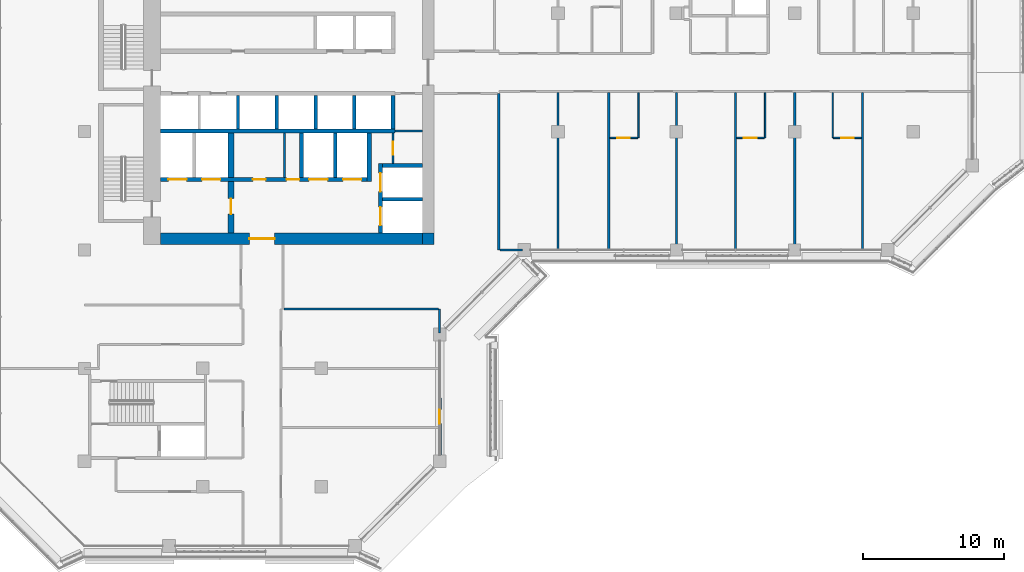
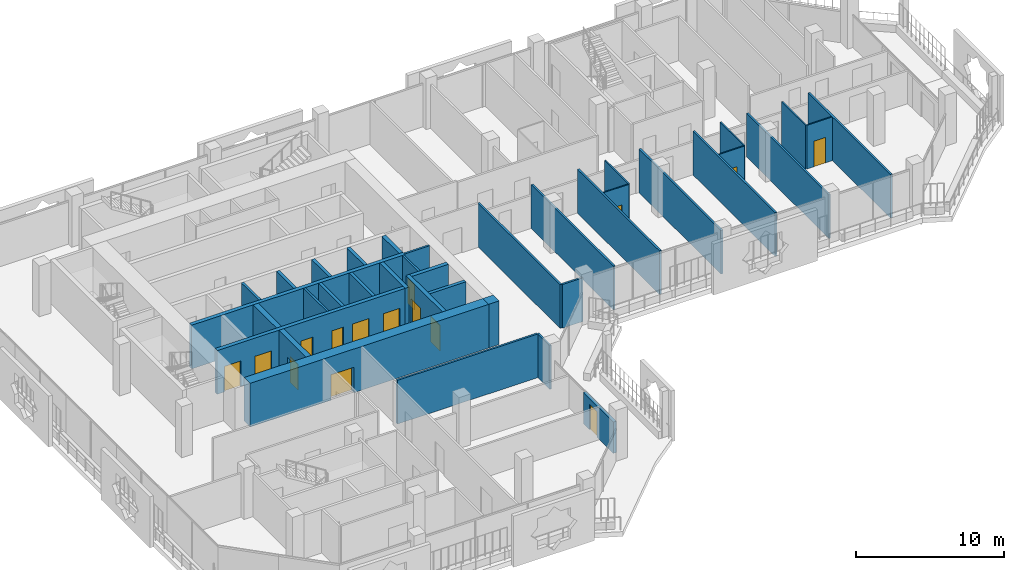
# One storey, part 10 of 21: 37 walls, 15 doors, 15 openings.
"""IFC4 building model written with IfcOpenShell, lengths in metres."""

from ifc_helpers import new_model, si_unit, direction, frame, frame_2d, origin, place, context, subcontext, project, spatial, rectangle, extrude, material, layer, layer_set, type_object, element, fill, save


model = new_model("IFC4")

# Units and contexts
model_context = context("Model", 3, precision=1e-05, world=origin(), true_north=direction((0.0, 1.0)))
body_context = subcontext(model_context, "Body", "Model", "MODEL_VIEW")
ifc_project = project(units=[si_unit("LENGTHUNIT", "METRE"), si_unit("AREAUNIT", "SQUARE_METRE"), si_unit("VOLUMEUNIT", "CUBIC_METRE"), si_unit("PLANEANGLEUNIT", "RADIAN"), si_unit("MASSUNIT", "GRAM", prefix="KILO")], contexts=[model_context])

# Site, building, storey
site_placement = place(None, origin())
site = spatial("IfcSite", under=ifc_project, at=site_placement, CompositionType="ELEMENT")
building_placement = place(site_placement, origin())
building = spatial("IfcBuilding", under=site, at=building_placement, Name="Kawkab Arch Medical Tower", CompositionType="ELEMENT")
storey_placement = place(building_placement, frame((0.0, 0.0, 264.199951171875)))
storey = spatial("IfcBuildingStorey", under=building, at=storey_placement, Name="L61", CompositionType="ELEMENT", Elevation=264.199951171875)

# Wall, opening, door
ifc_material_1 = material(Name="Concrete C50/60", Category="concrete")
ifc_layer_1 = layer(ifc_material_1, 0.800048828125)
ifc_layer_set_1 = layer_set([ifc_layer_1], Name="Concrete C50/60")
wall_type_1 = type_object("IfcWallType", Name="Core ring wall 800 C50/60", PredefinedType="SHEAR", material=ifc_layer_set_1)
wall_1_placement = place(storey_placement, frame((5.39990234375, -24.39990234375, 0.0), z_axis=(0.0, 0.0, 1.0), x_axis=(1.0, 0.0, 0.0)))
wall_1 = element("IfcWall", 1, at=wall_1_placement, inside=storey, type_object=wall_type_1, Name="L61 core wall", PredefinedType="SHEAR", context=body_context, shape_type="SweptSolid", body=[
    extrude(rectangle(XDim=18.60009765625, YDim=0.800048828125, at=frame_2d((9.300048828125, 0.0))), origin(), (0.0, 0.0, 1.0), 3.60009765625),
])
opening_1_placement = place(wall_1_placement, frame((6.300048828125, 0.0, 0.0)))
opening_1 = element("IfcOpeningElement", 2, at=opening_1_placement, cuts=wall_1, Name="Opening PD", PredefinedType="OPENING", context=body_context, shape_type="SweptSolid", body=[
    extrude(rectangle(XDim=1.800048828125, YDim=2.10009765625, at=frame_2d((0.89990234375, 1.050048828125))), frame((0.0, 0.409912109375, 0.0), z_axis=(0.0, -1.0, 0.0), x_axis=(1.0, 0.0, 0.0)), (0.0, 0.0, 1.0), 0.820068359375),
])
ifc_material_2 = material(Name="Hollow metal fire door leaf")
door_type_1 = type_object("IfcDoorType", Name="Core entrance doors 1800", OperationType="DOUBLE_DOOR_SINGLE_SWING", PredefinedType="DOOR", material=ifc_material_2)
door_1_placement = place(opening_1_placement, origin())
door_1 = element("IfcDoor", 3, at=door_1_placement, inside=storey, type_object=door_type_1, Name="L61 South entrance doors", OperationType="DOUBLE_DOOR_SINGLE_SWING", OverallHeight=2.10009765625, OverallWidth=1.800048828125, PredefinedType="DOOR", context=body_context, shape_type="SweptSolid", body=[
    extrude(rectangle(XDim=1.800048828125, YDim=2.10009765625, at=frame_2d((0.89990234375, 1.050048828125))), frame((0.0, 0.02490234375, 0.0), z_axis=(0.0, -1.0, 0.0), x_axis=(1.0, 0.0, 0.0)), (0.0, 0.0, 1.0), 0.050048828125),
])
fill(opening_1, door_1)

# Wall
wall_2_placement = place(storey_placement, frame((24.39990234375, -24.800048828125, 0.0), z_axis=(0.0, 0.0, 1.0), x_axis=(0.0, 1.0, 0.0)))
element("IfcWall", 4, at=wall_2_placement, inside=storey, type_object=wall_type_1, Name="L61 core wall", PredefinedType="SHEAR", context=body_context, shape_type="SweptSolid", body=[
    extrude(rectangle(XDim=0.800048828125, YDim=0.800048828125, at=frame_2d((0.39990234375, 0.0))), origin(), (0.0, 0.0, 1.0), 3.60009765625),
])

# Wall, opening, door
ifc_material_3 = material(Name="Gypsum board on steel studs", Category="steel")
ifc_layer_2 = layer(ifc_material_3, 0.14990234375)
ifc_layer_set_2 = layer_set([ifc_layer_2], Name="Gypsum board on steel studs")
wall_type_2 = type_object("IfcWallType", Name="Core room partition 150", PredefinedType="PARTITIONING", material=ifc_layer_set_2)
wall_3_placement = place(storey_placement, frame((21.89990234375, -19.050048828125, 0.0), z_axis=(0.0, 0.0, 1.0), x_axis=(0.0, 1.0, 0.0)))
wall_3 = element("IfcWall", 5, at=wall_3_placement, inside=storey, type_object=wall_type_2, Name="L61 core room partition", PredefinedType="PARTITIONING", context=body_context, shape_type="SweptSolid", body=[
    extrude(rectangle(XDim=2.150146484375, YDim=0.14990234375, at=frame_2d((1.0751953125, 0.0))), origin(), (0.0, 0.0, 1.0), 3.60009765625),
])
opening_2_placement = place(wall_3_placement, frame((0.625, 0.0, 0.0)))
opening_2 = element("IfcOpeningElement", 6, at=opening_2_placement, cuts=wall_3, Name="Opening RD", PredefinedType="OPENING", context=body_context, shape_type="SweptSolid", body=[
    extrude(rectangle(XDim=0.89990234375, YDim=2.10009765625, at=frame_2d((0.449951171875, 1.050048828125))), frame((0.0, 0.0849609375, 0.0), z_axis=(0.0, -1.0, 0.0), x_axis=(1.0, 0.0, 0.0)), (0.0, 0.0, 1.0), 0.169921875),
])
ifc_material_4 = material(Name="Hollow metal fire door leaf")
door_type_2 = type_object("IfcDoorType", Name="Core room door 900", OperationType="SINGLE_SWING_LEFT", PredefinedType="DOOR", material=ifc_material_4)
door_2_placement = place(opening_2_placement, origin())
door_2 = element("IfcDoor", 7, at=door_2_placement, inside=storey, type_object=door_type_2, Name="L61 Accessible WC door", OperationType="SINGLE_SWING_LEFT", OverallHeight=2.10009765625, OverallWidth=0.89990234375, PredefinedType="DOOR", context=body_context, shape_type="SweptSolid", body=[
    extrude(rectangle(XDim=0.89990234375, YDim=2.10009765625, at=frame_2d((0.449951171875, 1.050048828125))), frame((0.0, 0.02490234375, 0.0), z_axis=(0.0, -1.0, 0.0), x_axis=(1.0, 0.0, 0.0)), (0.0, 0.0, 1.0), 0.050048828125),
])
fill(opening_2, door_2)

# Walls
wall_4_placement = place(storey_placement, frame((22.050048828125, -16.75, 0.0), z_axis=(0.0, 0.0, 1.0), x_axis=(1.0, 0.0, 0.0)))
element("IfcWall", 8, at=wall_4_placement, inside=storey, type_object=wall_type_2, Name="L61 core room partition", PredefinedType="PARTITIONING", context=body_context, shape_type="SweptSolid", body=[
    extrude(rectangle(XDim=1.949951171875, YDim=0.14990234375, at=frame_2d((0.97509765625, 0.0))), origin(), (0.0, 0.0, 1.0), 3.60009765625),
])
wall_5_placement = place(storey_placement, frame((14.199951171875, -20.050048828125, 0.0), z_axis=(0.0, 0.0, 1.0), x_axis=(0.0, 1.0, 0.0)))
element("IfcWall", 9, at=wall_5_placement, inside=storey, type_object=wall_type_2, Name="L61 core room partition", PredefinedType="PARTITIONING", context=body_context, shape_type="SweptSolid", body=[
    extrude(rectangle(XDim=3.150146484375, YDim=0.14990234375, at=frame_2d((1.5751953125, 0.0))), origin(), (0.0, 0.0, 1.0), 3.60009765625),
])
ifc_material_5 = material(Name="Concrete C60/75", Category="concrete")
ifc_layer_3 = layer(ifc_material_5, 0.25)
ifc_layer_set_3 = layer_set([ifc_layer_3], Name="Concrete C60/75")
wall_type_3 = type_object("IfcWallType", Name="Core shear wall 250 C60/75", PredefinedType="SHEAR", material=ifc_layer_set_3)
wall_6_placement = place(storey_placement, frame((21.14990234375, -21.60009765625, 0.0), z_axis=(0.0, 0.0, 1.0), x_axis=(1.0, 0.0, 0.0)))
element("IfcWall", 10, at=wall_6_placement, inside=storey, type_object=wall_type_3, Name="L61 core shear wall", PredefinedType="SHEAR", context=body_context, shape_type="SweptSolid", body=[
    extrude(rectangle(XDim=2.85009765625, YDim=0.25, at=frame_2d((1.425048828125, 0.0))), origin(), (0.0, 0.0, 1.0), 3.60009765625),
])
for number, where, z_axis, x_axis, name in (
    (11, (15.39990234375, -20.050048828125, 0.0), (0.0, 0.0, 1.0), (0.0, 1.0, 0.0), "L61 core shear wall"),
    (12, (17.800048828125, -20.050048828125, 0.0), (0.0, 0.0, 1.0), (0.0, 1.0, 0.0), "L61 core shear wall"),
):
    element("IfcWall", number, at=place(storey_placement, frame(where, z_axis=z_axis, x_axis=x_axis)), inside=storey, type_object=wall_type_3, Name=name, PredefinedType="SHEAR", context=body_context, shape_type="SweptSolid", body=[
        extrude(rectangle(XDim=3.150146484375, YDim=0.25, at=frame_2d((1.5751953125, 0.0))), origin(), (0.0, 0.0, 1.0), 3.60009765625),
    ])
for number, where, z_axis, x_axis, name in (
    (13, (13.64990234375, -16.60009765625, 0.0), (0.0, 0.0, 1.0), (0.0, 1.0, 0.0), "L61 core shear wall"),
    (14, (16.39990234375, -16.60009765625, 0.0), (0.0, 0.0, 1.0), (0.0, 1.0, 0.0), "L61 core shear wall"),
    (15, (19.14990234375, -16.60009765625, 0.0), (0.0, 0.0, 1.0), (0.0, 1.0, 0.0), "L61 core shear wall"),
):
    element("IfcWall", number, at=place(storey_placement, frame(where, z_axis=z_axis, x_axis=x_axis)), inside=storey, type_object=wall_type_3, Name=name, PredefinedType="SHEAR", context=body_context, shape_type="SweptSolid", body=[
        extrude(rectangle(XDim=2.35009765625, YDim=0.25, at=frame_2d((1.175048828125, 0.0))), origin(), (0.0, 0.0, 1.0), 3.60009765625),
    ])
ifc_material_6 = material(Name="Concrete C60/75", Category="concrete")
ifc_layer_4 = layer(ifc_material_6, 0.300048828125)
ifc_layer_set_4 = layer_set([ifc_layer_4], Name="Concrete C60/75")
wall_type_4 = type_object("IfcWallType", Name="Core shear wall 300 C60/75", PredefinedType="SHEAR", material=ifc_layer_set_4)
wall_7_placement = place(storey_placement, frame((5.39990234375, -16.75, 0.0), z_axis=(0.0, 0.0, 1.0), x_axis=(1.0, 0.0, 0.0)))
element("IfcWall", 16, at=wall_7_placement, inside=storey, type_object=wall_type_4, Name="L61 core shear wall", PredefinedType="SHEAR", context=body_context, shape_type="SweptSolid", body=[
    extrude(rectangle(XDim=16.650146484375, YDim=0.300048828125, at=frame_2d((8.3251953125, 0.0))), origin(), (0.0, 0.0, 1.0), 3.60009765625),
])

# Wall, openings, doors
wall_8_placement = place(storey_placement, frame((5.39990234375, -20.199951171875, 0.0), z_axis=(0.0, 0.0, 1.0), x_axis=(1.0, 0.0, 0.0)))
wall_8 = element("IfcWall", 17, at=wall_8_placement, inside=storey, type_object=wall_type_4, Name="L61 core shear wall", PredefinedType="SHEAR", context=body_context, shape_type="SweptSolid", body=[
    extrude(rectangle(XDim=14.650146484375, YDim=0.300048828125, at=frame_2d((7.3251953125, 0.0))), origin(), (0.0, 0.0, 1.0), 3.60009765625),
])
opening_3_placement = place(wall_8_placement, frame((10.550048828125, 0.0, 0.0)))
opening_3 = element("IfcOpeningElement", 18, at=opening_3_placement, cuts=wall_8, Name="Opening LD2", PredefinedType="OPENING", context=body_context, shape_type="SweptSolid", body=[
    extrude(rectangle(XDim=1.300048828125, YDim=2.10009765625, at=frame_2d((0.64990234375, 1.050048828125))), frame((0.0, 0.159912109375, 0.0), z_axis=(0.0, -1.0, 0.0), x_axis=(1.0, 0.0, 0.0)), (0.0, 0.0, 1.0), 0.320068359375),
])
opening_4_placement = place(wall_8_placement, frame((12.949951171875, 0.0, 0.0)))
opening_4 = element("IfcOpeningElement", 19, at=opening_4_placement, cuts=wall_8, Name="Opening LD2", PredefinedType="OPENING", context=body_context, shape_type="SweptSolid", body=[
    extrude(rectangle(XDim=1.300048828125, YDim=2.10009765625, at=frame_2d((0.64990234375, 1.050048828125))), frame((0.0, 0.159912109375, 0.0), z_axis=(0.0, -1.0, 0.0), x_axis=(1.0, 0.0, 0.0)), (0.0, 0.0, 1.0), 0.320068359375),
])
opening_5_placement = place(wall_8_placement, frame((0.550048828125, 0.0, 0.0)))
opening_5 = element("IfcOpeningElement", 20, at=opening_5_placement, cuts=wall_8, Name="Opening LD2", PredefinedType="OPENING", context=body_context, shape_type="SweptSolid", body=[
    extrude(rectangle(XDim=1.300048828125, YDim=2.10009765625, at=frame_2d((0.64990234375, 1.050048828125))), frame((0.0, 0.159912109375, 0.0), z_axis=(0.0, -1.0, 0.0), x_axis=(1.0, 0.0, 0.0)), (0.0, 0.0, 1.0), 0.320068359375),
])
opening_6_placement = place(wall_8_placement, frame((2.949951171875, 0.0, 0.0)))
opening_6 = element("IfcOpeningElement", 21, at=opening_6_placement, cuts=wall_8, Name="Opening LD2", PredefinedType="OPENING", context=body_context, shape_type="SweptSolid", body=[
    extrude(rectangle(XDim=1.300048828125, YDim=2.10009765625, at=frame_2d((0.64990234375, 1.050048828125))), frame((0.0, 0.159912109375, 0.0), z_axis=(0.0, -1.0, 0.0), x_axis=(1.0, 0.0, 0.0)), (0.0, 0.0, 1.0), 0.320068359375),
])
opening_7_placement = place(wall_8_placement, frame((6.550048828125, 0.0, 0.0)))
opening_7 = element("IfcOpeningElement", 22, at=opening_7_placement, cuts=wall_8, Name="Opening RD", PredefinedType="OPENING", context=body_context, shape_type="SweptSolid", body=[
    extrude(rectangle(XDim=0.89990234375, YDim=2.10009765625, at=frame_2d((0.449951171875, 1.050048828125))), frame((0.0, 0.159912109375, 0.0), z_axis=(0.0, -1.0, 0.0), x_axis=(1.0, 0.0, 0.0)), (0.0, 0.0, 1.0), 0.320068359375),
])
opening_8_placement = place(wall_8_placement, frame((8.949951171875, 0.0, 0.0)))
opening_8 = element("IfcOpeningElement", 23, at=opening_8_placement, cuts=wall_8, Name="Opening RD", PredefinedType="OPENING", context=body_context, shape_type="SweptSolid", body=[
    extrude(rectangle(XDim=0.89990234375, YDim=2.10009765625, at=frame_2d((0.449951171875, 1.050048828125))), frame((0.0, 0.159912109375, 0.0), z_axis=(0.0, -1.0, 0.0), x_axis=(1.0, 0.0, 0.0)), (0.0, 0.0, 1.0), 0.320068359375),
])
door_3_placement = place(opening_7_placement, origin())
door_3 = element("IfcDoor", 24, at=door_3_placement, inside=storey, type_object=door_type_2, Name="L61 Ward pantry door", OperationType="SINGLE_SWING_LEFT", OverallHeight=2.10009765625, OverallWidth=0.89990234375, PredefinedType="DOOR", context=body_context, shape_type="SweptSolid", body=[
    extrude(rectangle(XDim=0.89990234375, YDim=2.10009765625, at=frame_2d((0.449951171875, 1.050048828125))), frame((0.0, 0.02490234375, 0.0), z_axis=(0.0, -1.0, 0.0), x_axis=(1.0, 0.0, 0.0)), (0.0, 0.0, 1.0), 0.050048828125),
])
fill(opening_7, door_3)
door_4_placement = place(opening_8_placement, origin())
door_4 = element("IfcDoor", 25, at=door_4_placement, inside=storey, type_object=door_type_2, Name="L61 Linen store door", OperationType="SINGLE_SWING_LEFT", OverallHeight=2.10009765625, OverallWidth=0.89990234375, PredefinedType="DOOR", context=body_context, shape_type="SweptSolid", body=[
    extrude(rectangle(XDim=0.89990234375, YDim=2.10009765625, at=frame_2d((0.449951171875, 1.050048828125))), frame((0.0, 0.02490234375, 0.0), z_axis=(0.0, -1.0, 0.0), x_axis=(1.0, 0.0, 0.0)), (0.0, 0.0, 1.0), 0.050048828125),
])
fill(opening_8, door_4)
ifc_material_7 = material(Name="Stainless steel lift door leaf", Category="steel")
door_type_3 = type_object("IfcDoorType", Name="Lift landing door 1300", OperationType="DOUBLE_DOOR_SLIDING", PredefinedType="DOOR", material=ifc_material_7)
door_5_placement = place(opening_3_placement, origin())
door_5 = element("IfcDoor", 26, at=door_5_placement, inside=storey, type_object=door_type_3, Name="L61 Lift landing door BD3", OperationType="DOUBLE_DOOR_SLIDING", OverallHeight=2.10009765625, OverallWidth=1.300048828125, PredefinedType="DOOR", context=body_context, shape_type="SweptSolid", body=[
    extrude(rectangle(XDim=1.300048828125, YDim=2.10009765625, at=frame_2d((0.64990234375, 1.050048828125))), frame((0.0, 0.02490234375, 0.0), z_axis=(0.0, -1.0, 0.0), x_axis=(1.0, 0.0, 0.0)), (0.0, 0.0, 1.0), 0.050048828125),
])
fill(opening_3, door_5)
door_6_placement = place(opening_4_placement, origin())
door_6 = element("IfcDoor", 27, at=door_6_placement, inside=storey, type_object=door_type_3, Name="L61 Lift landing door BD4", OperationType="DOUBLE_DOOR_SLIDING", OverallHeight=2.10009765625, OverallWidth=1.300048828125, PredefinedType="DOOR", context=body_context, shape_type="SweptSolid", body=[
    extrude(rectangle(XDim=1.300048828125, YDim=2.10009765625, at=frame_2d((0.64990234375, 1.050048828125))), frame((0.0, 0.02490234375, 0.0), z_axis=(0.0, -1.0, 0.0), x_axis=(1.0, 0.0, 0.0)), (0.0, 0.0, 1.0), 0.050048828125),
])
fill(opening_4, door_6)
door_7_placement = place(opening_5_placement, origin())
door_7 = element("IfcDoor", 28, at=door_7_placement, inside=storey, type_object=door_type_3, Name="L61 Lift landing door FL1", OperationType="DOUBLE_DOOR_SLIDING", OverallHeight=2.10009765625, OverallWidth=1.300048828125, PredefinedType="DOOR", context=body_context, shape_type="SweptSolid", body=[
    extrude(rectangle(XDim=1.300048828125, YDim=2.10009765625, at=frame_2d((0.64990234375, 1.050048828125))), frame((0.0, 0.02490234375, 0.0), z_axis=(0.0, -1.0, 0.0), x_axis=(1.0, 0.0, 0.0)), (0.0, 0.0, 1.0), 0.050048828125),
])
fill(opening_5, door_7)
door_8_placement = place(opening_6_placement, origin())
door_8 = element("IfcDoor", 29, at=door_8_placement, inside=storey, type_object=door_type_3, Name="L61 Lift landing door FL2", OperationType="DOUBLE_DOOR_SLIDING", OverallHeight=2.10009765625, OverallWidth=1.300048828125, PredefinedType="DOOR", context=body_context, shape_type="SweptSolid", body=[
    extrude(rectangle(XDim=1.300048828125, YDim=2.10009765625, at=frame_2d((0.64990234375, 1.050048828125))), frame((0.0, 0.02490234375, 0.0), z_axis=(0.0, -1.0, 0.0), x_axis=(1.0, 0.0, 0.0)), (0.0, 0.0, 1.0), 0.050048828125),
])
fill(opening_6, door_8)

# Walls
wall_9_placement = place(storey_placement, frame((20.199951171875, -20.35009765625, 0.0), z_axis=(0.0, 0.0, 1.0), x_axis=(0.0, 1.0, 0.0)))
element("IfcWall", 30, at=wall_9_placement, inside=storey, type_object=wall_type_4, Name="L61 core shear wall", PredefinedType="SHEAR", context=body_context, shape_type="SweptSolid", body=[
    extrude(rectangle(XDim=3.4501953125, YDim=0.300048828125, at=frame_2d((1.72509765625, 0.0))), origin(), (0.0, 0.0, 1.0), 3.60009765625),
])
wall_10_placement = place(storey_placement, frame((21.89990234375, -16.60009765625, 0.0), z_axis=(0.0, 0.0, 1.0), x_axis=(0.0, 1.0, 0.0)))
element("IfcWall", 31, at=wall_10_placement, inside=storey, type_object=wall_type_4, Name="L61 core shear wall", PredefinedType="SHEAR", context=body_context, shape_type="SweptSolid", body=[
    extrude(rectangle(XDim=2.35009765625, YDim=0.300048828125, at=frame_2d((1.175048828125, 0.0))), origin(), (0.0, 0.0, 1.0), 3.60009765625),
])
wall_11_placement = place(storey_placement, frame((21.14990234375, -19.199951171875, 0.0), z_axis=(0.0, 0.0, 1.0), x_axis=(1.0, 0.0, 0.0)))
element("IfcWall", 32, at=wall_11_placement, inside=storey, type_object=wall_type_4, Name="L61 core shear wall", PredefinedType="SHEAR", context=body_context, shape_type="SweptSolid", body=[
    extrude(rectangle(XDim=2.85009765625, YDim=0.300048828125, at=frame_2d((1.425048828125, 0.0))), origin(), (0.0, 0.0, 1.0), 3.60009765625),
])

# Wall, openings, doors
wall_12_placement = place(storey_placement, frame((21.0, -24.0, 0.0), z_axis=(0.0, 0.0, 1.0), x_axis=(0.0, 1.0, 0.0)))
wall_12 = element("IfcWall", 33, at=wall_12_placement, inside=storey, type_object=wall_type_4, Name="L61 core shear wall", PredefinedType="SHEAR", context=body_context, shape_type="SweptSolid", body=[
    extrude(rectangle(XDim=4.949951171875, YDim=0.300048828125, at=frame_2d((2.47509765625, 0.0))), origin(), (0.0, 0.0, 1.0), 3.60009765625),
])
opening_9_placement = place(wall_12_placement, frame((2.949951171875, 0.0, 0.0)))
opening_9 = element("IfcOpeningElement", 34, at=opening_9_placement, cuts=wall_12, Name="Opening LD2", PredefinedType="OPENING", context=body_context, shape_type="SweptSolid", body=[
    extrude(rectangle(XDim=1.300048828125, YDim=2.10009765625, at=frame_2d((0.64990234375, 1.050048828125))), frame((0.0, 0.159912109375, 0.0), z_axis=(0.0, -1.0, 0.0), x_axis=(1.0, 0.0, 0.0)), (0.0, 0.0, 1.0), 0.320068359375),
])
opening_10_placement = place(wall_12_placement, frame((0.550048828125, 0.0, 0.0)))
opening_10 = element("IfcOpeningElement", 35, at=opening_10_placement, cuts=wall_12, Name="Opening LD2", PredefinedType="OPENING", context=body_context, shape_type="SweptSolid", body=[
    extrude(rectangle(XDim=1.300048828125, YDim=2.10009765625, at=frame_2d((0.64990234375, 1.050048828125))), frame((0.0, 0.159912109375, 0.0), z_axis=(0.0, -1.0, 0.0), x_axis=(1.0, 0.0, 0.0)), (0.0, 0.0, 1.0), 0.320068359375),
])
door_9_placement = place(opening_9_placement, origin())
door_9 = element("IfcDoor", 36, at=door_9_placement, inside=storey, type_object=door_type_3, Name="L61 Lift landing door BD1", OperationType="DOUBLE_DOOR_SLIDING", OverallHeight=2.10009765625, OverallWidth=1.300048828125, PredefinedType="DOOR", context=body_context, shape_type="SweptSolid", body=[
    extrude(rectangle(XDim=1.300048828125, YDim=2.10009765625, at=frame_2d((0.64990234375, 1.050048828125))), frame((0.0, 0.02490234375, 0.0), z_axis=(0.0, -1.0, 0.0), x_axis=(1.0, 0.0, 0.0)), (0.0, 0.0, 1.0), 0.050048828125),
])
fill(opening_9, door_9)
door_10_placement = place(opening_10_placement, origin())
door_10 = element("IfcDoor", 37, at=door_10_placement, inside=storey, type_object=door_type_3, Name="L61 Lift landing door BD2", OperationType="DOUBLE_DOOR_SLIDING", OverallHeight=2.10009765625, OverallWidth=1.300048828125, PredefinedType="DOOR", context=body_context, shape_type="SweptSolid", body=[
    extrude(rectangle(XDim=1.300048828125, YDim=2.10009765625, at=frame_2d((0.64990234375, 1.050048828125))), frame((0.0, 0.02490234375, 0.0), z_axis=(0.0, -1.0, 0.0), x_axis=(1.0, 0.0, 0.0)), (0.0, 0.0, 1.0), 0.050048828125),
])
fill(opening_10, door_10)

# Wall, opening, door
ifc_material_8 = material(Name="Concrete C60/75", Category="concrete")
ifc_layer_5 = layer(ifc_material_8, 0.39990234375)
ifc_layer_set_5 = layer_set([ifc_layer_5], Name="Concrete C60/75")
wall_type_5 = type_object("IfcWallType", Name="Core shear wall 400 C60/75", PredefinedType="SHEAR", material=ifc_layer_set_5)
wall_13_placement = place(storey_placement, frame((10.39990234375, -24.0, 0.0), z_axis=(0.0, 0.0, 1.0), x_axis=(0.0, 1.0, 0.0)))
wall_13 = element("IfcWall", 38, at=wall_13_placement, inside=storey, type_object=wall_type_5, Name="L61 core shear wall", PredefinedType="SHEAR", context=body_context, shape_type="SweptSolid", body=[
    extrude(rectangle(XDim=3.64990234375, YDim=0.39990234375, at=frame_2d((1.824951171875, 0.0))), origin(), (0.0, 0.0, 1.0), 3.60009765625),
])
opening_11_placement = place(wall_13_placement, frame((1.35009765625, 0.0, 0.0)))
opening_11 = element("IfcOpeningElement", 39, at=opening_11_placement, cuts=wall_13, Name="Opening FD", PredefinedType="OPENING", context=body_context, shape_type="SweptSolid", body=[
    extrude(rectangle(XDim=1.10009765625, YDim=2.10009765625, at=frame_2d((0.550048828125, 1.050048828125))), frame((0.0, 0.2099609375, 0.0), z_axis=(0.0, -1.0, 0.0), x_axis=(1.0, 0.0, 0.0)), (0.0, 0.0, 1.0), 0.419921875),
])
ifc_material_9 = material(Name="Hollow metal fire door leaf")
door_type_4 = type_object("IfcDoorType", Name="Firefighting lobby door 1100", OperationType="SINGLE_SWING_LEFT", PredefinedType="DOOR", material=ifc_material_9)
door_11_placement = place(opening_11_placement, origin())
door_11 = element("IfcDoor", 40, at=door_11_placement, inside=storey, type_object=door_type_4, Name="L61 Firefighting lobby door", OperationType="SINGLE_SWING_LEFT", OverallHeight=2.10009765625, OverallWidth=1.10009765625, PredefinedType="DOOR", context=body_context, shape_type="SweptSolid", body=[
    extrude(rectangle(XDim=1.10009765625, YDim=2.10009765625, at=frame_2d((0.550048828125, 1.050048828125))), frame((0.0, 0.02490234375, 0.0), z_axis=(0.0, -1.0, 0.0), x_axis=(1.0, 0.0, 0.0)), (0.0, 0.0, 1.0), 0.050048828125),
])
fill(opening_11, door_11)

# Wall
wall_14_placement = place(storey_placement, frame((10.39990234375, -20.050048828125, 0.0), z_axis=(0.0, 0.0, 1.0), x_axis=(0.0, 1.0, 0.0)))
element("IfcWall", 41, at=wall_14_placement, inside=storey, type_object=wall_type_5, Name="L61 core shear wall", PredefinedType="SHEAR", context=body_context, shape_type="SweptSolid", body=[
    extrude(rectangle(XDim=3.150146484375, YDim=0.39990234375, at=frame_2d((1.5751953125, 0.0))), origin(), (0.0, 0.0, 1.0), 3.60009765625),
])

# Wall, opening, door
ifc_material_10 = material(Name="Bronze clad insulated wall panel")
ifc_layer_6 = layer(ifc_material_10, 0.25)
ifc_layer_set_6 = layer_set([ifc_layer_6], Name="Bronze clad insulated wall panel")
wall_type_6 = type_object("IfcWallType", Name="External wall bay 250", PredefinedType="SOLIDWALL", material=ifc_layer_set_6)
wall_15_placement = place(storey_placement, frame((25.199951171875, -39.75, 0.0), z_axis=(0.0, 0.0, 1.0), x_axis=(0.0, 1.0, 0.0)))
wall_15 = element("IfcWall", 42, at=wall_15_placement, inside=storey, type_object=wall_type_6, Name="External wall bay L61.R05.1.1", PredefinedType="SOLIDWALL", context=body_context, shape_type="SweptSolid", body=[
    extrude(rectangle(XDim=4.050048828125, YDim=0.25, at=frame_2d((2.02490234375, 0.0))), origin(), (0.0, 0.0, 1.0), 2.580078125),
])
opening_12_placement = place(wall_15_placement, frame((2.22509765625, 0.0, 0.0)))
opening_12 = element("IfcOpeningElement", 43, at=opening_12_placement, cuts=wall_15, Name="Opening W56-701", PredefinedType="OPENING", context=body_context, shape_type="SweptSolid", body=[
    extrude(rectangle(XDim=1.0, YDim=2.10009765625, at=frame_2d((0.5, 1.050048828125))), frame((0.0, 0.135009765625, 0.0), z_axis=(0.0, -1.0, 0.0), x_axis=(1.0, 0.0, 0.0)), (0.0, 0.0, 1.0), 0.27001953125),
])
ifc_material_11 = material(Name="Bronze anodised aluminium door with tinted glass", Category="aluminium")
door_type_5 = type_object("IfcDoorType", Name="Single external door 1000 x 2100", OperationType="SINGLE_SWING_LEFT", PredefinedType="DOOR", material=ifc_material_11)
door_12_placement = place(opening_12_placement, origin())
door_12 = element("IfcDoor", 44, at=door_12_placement, inside=storey, type_object=door_type_5, Name="External door L61.R05.1.1", OperationType="SINGLE_SWING_LEFT", OverallHeight=2.10009765625, OverallWidth=1.0, PredefinedType="DOOR", context=body_context, shape_type="SweptSolid", body=[
    extrude(rectangle(XDim=1.0, YDim=2.10009765625, at=frame_2d((0.5, 1.050048828125))), frame((0.0, 0.02490234375, 0.0), z_axis=(0.0, -1.0, 0.0), x_axis=(1.0, 0.0, 0.0)), (0.0, 0.0, 1.0), 0.050048828125),
])
fill(opening_12, door_12)

# Wall
ifc_material_12 = material(Name="Dense concrete blockwork", Category="masonry")
ifc_layer_7 = layer(ifc_material_12, 0.199951171875)
ifc_layer_set_7 = layer_set([ifc_layer_7], Name="Dense concrete blockwork")
wall_type_7 = type_object("IfcWallType", Name="Lift shaft partition 200", PredefinedType="PARTITIONING", material=ifc_layer_set_7)
wall_16_placement = place(storey_placement, frame((10.89990234375, -16.60009765625, 0.0), z_axis=(0.0, 0.0, 1.0), x_axis=(0.0, 1.0, 0.0)))
element("IfcWall", 45, at=wall_16_placement, inside=storey, type_object=wall_type_7, Name="L61 lift shaft partition", PredefinedType="PARTITIONING", context=body_context, shape_type="SweptSolid", body=[
    extrude(rectangle(XDim=2.35009765625, YDim=0.199951171875, at=frame_2d((1.175048828125, 0.0))), origin(), (0.0, 0.0, 1.0), 3.60009765625),
])

# Wall, opening, door
ifc_material_13 = material(Name="Gypsum board partition on steel studs", Category="steel")
ifc_layer_8 = layer(ifc_material_13, 0.10009765625)
ifc_layer_set_8 = layer_set([ifc_layer_8], Name="Gypsum board partition on steel studs")
wall_type_8 = type_object("IfcWallType", Name="Partition 100", PredefinedType="PARTITIONING", material=ifc_layer_set_8)
wall_17_placement = place(storey_placement, frame((37.27490234375, -17.25, 0.0), z_axis=(0.0, 0.0, 1.0), x_axis=(1.0, 0.0, 0.0)))
wall_17 = element("IfcWall", 46, at=wall_17_placement, inside=storey, type_object=wall_type_8, Name="Partition 100 w001", PredefinedType="PARTITIONING", context=body_context, shape_type="SweptSolid", body=[
    extrude(rectangle(XDim=1.97509765625, YDim=0.10009765625, at=frame_2d((0.987548828125, 0.0))), origin(), (0.0, 0.0, 1.0), 3.60009765625),
])
opening_13_placement = place(wall_17_placement, frame((0.52490234375, 0.0, 0.0)))
opening_13 = element("IfcOpeningElement", 47, at=opening_13_placement, cuts=wall_17, Name="Opening W56-007", PredefinedType="OPENING", context=body_context, shape_type="SweptSolid", body=[
    extrude(rectangle(XDim=0.89990234375, YDim=2.10009765625, at=frame_2d((0.449951171875, 1.050048828125))), frame((0.0, 0.06005859375, 0.0), z_axis=(0.0, -1.0, 0.0), x_axis=(1.0, 0.0, 0.0)), (0.0, 0.0, 1.0), 0.1201171875),
])
ifc_material_14 = material(Name="Timber door leaf", Category="wood")
door_type_6 = type_object("IfcDoorType", Name="Single door 900x2100", OperationType="NOTDEFINED", PredefinedType="DOOR", material=ifc_material_14)
door_13_placement = place(opening_13_placement, origin())
door_13 = element("IfcDoor", 48, at=door_13_placement, inside=storey, type_object=door_type_6, Name="Door W56-007", OperationType="SINGLE_SWING_RIGHT", OverallHeight=2.10009765625, OverallWidth=0.89990234375, PredefinedType="DOOR", context=body_context, shape_type="SweptSolid", body=[
    extrude(rectangle(XDim=0.89990234375, YDim=2.10009765625, at=frame_2d((0.449951171875, 1.050048828125))), frame((0.0, 0.02490234375, 0.0), z_axis=(0.0, -1.0, 0.0), x_axis=(1.0, 0.0, 0.0)), (0.0, 0.0, 1.0), 0.050048828125),
])
fill(opening_13, door_13)

wall_18_placement = place(storey_placement, frame((46.27490234375, -17.25, 0.0), z_axis=(0.0, 0.0, 1.0), x_axis=(1.0, 0.0, 0.0)))
wall_18 = element("IfcWall", 49, at=wall_18_placement, inside=storey, type_object=wall_type_8, Name="Partition 100 w002", PredefinedType="PARTITIONING", context=body_context, shape_type="SweptSolid", body=[
    extrude(rectangle(XDim=1.97509765625, YDim=0.10009765625, at=frame_2d((0.987548828125, 0.0))), origin(), (0.0, 0.0, 1.0), 3.60009765625),
])
opening_14_placement = place(wall_18_placement, frame((0.52490234375, 0.0, 0.0)))
opening_14 = element("IfcOpeningElement", 50, at=opening_14_placement, cuts=wall_18, Name="Opening W56-008", PredefinedType="OPENING", context=body_context, shape_type="SweptSolid", body=[
    extrude(rectangle(XDim=0.89990234375, YDim=2.10009765625, at=frame_2d((0.449951171875, 1.050048828125))), frame((0.0, 0.06005859375, 0.0), z_axis=(0.0, -1.0, 0.0), x_axis=(1.0, 0.0, 0.0)), (0.0, 0.0, 1.0), 0.1201171875),
])
door_14_placement = place(opening_14_placement, origin())
door_14 = element("IfcDoor", 51, at=door_14_placement, inside=storey, type_object=door_type_6, Name="Door W56-008", OperationType="SINGLE_SWING_LEFT", OverallHeight=2.10009765625, OverallWidth=0.89990234375, PredefinedType="DOOR", context=body_context, shape_type="SweptSolid", body=[
    extrude(rectangle(XDim=0.89990234375, YDim=2.10009765625, at=frame_2d((0.449951171875, 1.050048828125))), frame((0.0, 0.02490234375, 0.0), z_axis=(0.0, -1.0, 0.0), x_axis=(1.0, 0.0, 0.0)), (0.0, 0.0, 1.0), 0.050048828125),
])
fill(opening_14, door_14)

wall_19_placement = place(storey_placement, frame((53.14990234375, -17.25, 0.0), z_axis=(0.0, 0.0, 1.0), x_axis=(1.0, 0.0, 0.0)))
wall_19 = element("IfcWall", 52, at=wall_19_placement, inside=storey, type_object=wall_type_8, Name="Partition 100 w003", PredefinedType="PARTITIONING", context=body_context, shape_type="SweptSolid", body=[
    extrude(rectangle(XDim=1.97509765625, YDim=0.10009765625, at=frame_2d((0.987548828125, 0.0))), origin(), (0.0, 0.0, 1.0), 3.60009765625),
])
opening_15_placement = place(wall_19_placement, frame((0.550048828125, 0.0, 0.0)))
opening_15 = element("IfcOpeningElement", 53, at=opening_15_placement, cuts=wall_19, Name="Opening W56-009", PredefinedType="OPENING", context=body_context, shape_type="SweptSolid", body=[
    extrude(rectangle(XDim=0.89990234375, YDim=2.10009765625, at=frame_2d((0.449951171875, 1.050048828125))), frame((0.0, 0.06005859375, 0.0), z_axis=(0.0, -1.0, 0.0), x_axis=(1.0, 0.0, 0.0)), (0.0, 0.0, 1.0), 0.1201171875),
])
door_15_placement = place(opening_15_placement, origin())
door_15 = element("IfcDoor", 54, at=door_15_placement, inside=storey, type_object=door_type_6, Name="Door W56-009", OperationType="SINGLE_SWING_LEFT", OverallHeight=2.10009765625, OverallWidth=0.89990234375, PredefinedType="DOOR", context=body_context, shape_type="SweptSolid", body=[
    extrude(rectangle(XDim=0.89990234375, YDim=2.10009765625, at=frame_2d((0.449951171875, 1.050048828125))), frame((0.0, 0.02490234375, 0.0), z_axis=(0.0, -1.0, 0.0), x_axis=(1.0, 0.0, 0.0)), (0.0, 0.0, 1.0), 0.050048828125),
])
fill(opening_15, door_15)

# Walls
for number, where, z_axis, x_axis, name in (
    (55, (39.300048828125, -17.25, 0.0), (0.0, 0.0, 1.0), (0.0, 1.0, 0.0), "Partition 100 w006"),
    (56, (48.300048828125, -17.25, 0.0), (0.0, 0.0, 1.0), (0.0, 1.0, 0.0), "Partition 100 w007"),
    (57, (53.10009765625, -17.25, 0.0), (0.0, 0.0, 1.0), (0.0, 1.0, 0.0), "Partition 100 w008"),
):
    element("IfcWall", number, at=place(storey_placement, frame(where, z_axis=z_axis, x_axis=x_axis)), inside=storey, type_object=wall_type_8, Name=name, PredefinedType="PARTITIONING", context=body_context, shape_type="SweptSolid", body=[
        extrude(rectangle(XDim=3.22509765625, YDim=0.10009765625, at=frame_2d((1.612548828125, 0.0))), origin(), (0.0, 0.0, 1.0), 3.60009765625),
    ])
ifc_material_15 = material(Name="Gypsum board partition on steel studs, mineral wool", Category="steel")
ifc_layer_9 = layer(ifc_material_15, 0.14990234375)
ifc_layer_set_9 = layer_set([ifc_layer_9], Name="Gypsum board partition on steel studs, mineral wool")
wall_type_9 = type_object("IfcWallType", Name="Partition 150", PredefinedType="PARTITIONING", material=ifc_layer_set_9)
wall_20_placement = place(storey_placement, frame((14.175048828125, -29.39990234375, 0.0), z_axis=(0.0, 0.0, 1.0), x_axis=(1.0, 0.0, 0.0)))
element("IfcWall", 58, at=wall_20_placement, inside=storey, type_object=wall_type_9, Name="Partition 150 w017", PredefinedType="PARTITIONING", context=body_context, shape_type="SweptSolid", body=[
    extrude(rectangle(XDim=10.949951171875, YDim=0.14990234375, at=frame_2d((5.47509765625, 0.0))), origin(), (0.0, 0.0, 1.0), 3.60009765625),
])
wall_21_placement = place(storey_placement, frame((29.47509765625, -25.199951171875, 0.0), z_axis=(0.0, 0.0, 1.0), x_axis=(1.0, 0.0, 0.0)))
element("IfcWall", 59, at=wall_21_placement, inside=storey, type_object=wall_type_9, Name="Partition 150 w019", PredefinedType="PARTITIONING", context=body_context, shape_type="SweptSolid", body=[
    extrude(rectangle(XDim=1.61181640625, YDim=0.14990234375, at=frame_2d((0.805908203125, 0.0))), origin(), (0.0, 0.0, 1.0), 3.60009765625),
])
wall_22_placement = place(storey_placement, frame((25.199951171875, -31.0869140625, 0.0), z_axis=(0.0, 0.0, 1.0), x_axis=(0.0, 1.0, 0.0)))
element("IfcWall", 60, at=wall_22_placement, inside=storey, type_object=wall_type_9, Name="Partition 150 w037", PredefinedType="PARTITIONING", context=body_context, shape_type="SweptSolid", body=[
    extrude(rectangle(XDim=1.68701171875, YDim=0.14990234375, at=frame_2d((0.843505859375, 0.0))), origin(), (0.0, 0.0, 1.0), 3.60009765625),
])
wall_23_placement = place(storey_placement, frame((29.39990234375, -25.199951171875, 0.0), z_axis=(0.0, 0.0, 1.0), x_axis=(0.0, 1.0, 0.0)))
element("IfcWall", 61, at=wall_23_placement, inside=storey, type_object=wall_type_9, Name="Partition 150 w039", PredefinedType="PARTITIONING", context=body_context, shape_type="SweptSolid", body=[
    extrude(rectangle(XDim=11.099853515625, YDim=0.14990234375, at=frame_2d((5.5498046875, 0.0))), origin(), (0.0, 0.0, 1.0), 3.60009765625),
])
for number, where, z_axis, x_axis, name in (
    (62, (33.60009765625, -25.1201171875, 0.0), (0.0, 0.0, 1.0), (0.0, 1.0, 0.0), "Partition 150 w040"),
    (63, (37.199951171875, -25.1201171875, 0.0), (0.0, 0.0, 1.0), (0.0, 1.0, 0.0), "Partition 150 w042"),
    (64, (42.0, -25.1201171875, 0.0), (0.0, 0.0, 1.0), (0.0, 1.0, 0.0), "Partition 150 w045"),
    (65, (46.199951171875, -25.1201171875, 0.0), (0.0, 0.0, 1.0), (0.0, 1.0, 0.0), "Partition 150 w050"),
    (66, (50.39990234375, -25.1201171875, 0.0), (0.0, 0.0, 1.0), (0.0, 1.0, 0.0), "Partition 150 w052"),
    (67, (55.199951171875, -25.1201171875, 0.0), (0.0, 0.0, 1.0), (0.0, 1.0, 0.0), "Partition 150 w055"),
):
    element("IfcWall", number, at=place(storey_placement, frame(where, z_axis=z_axis, x_axis=x_axis)), inside=storey, type_object=wall_type_9, Name=name, PredefinedType="PARTITIONING", context=body_context, shape_type="SweptSolid", body=[
        extrude(rectangle(XDim=11.09521484375, YDim=0.14990234375, at=frame_2d((5.547607421875, 0.0))), origin(), (0.0, 0.0, 1.0), 3.60009765625),
    ])

save(model, "model.ifc")
